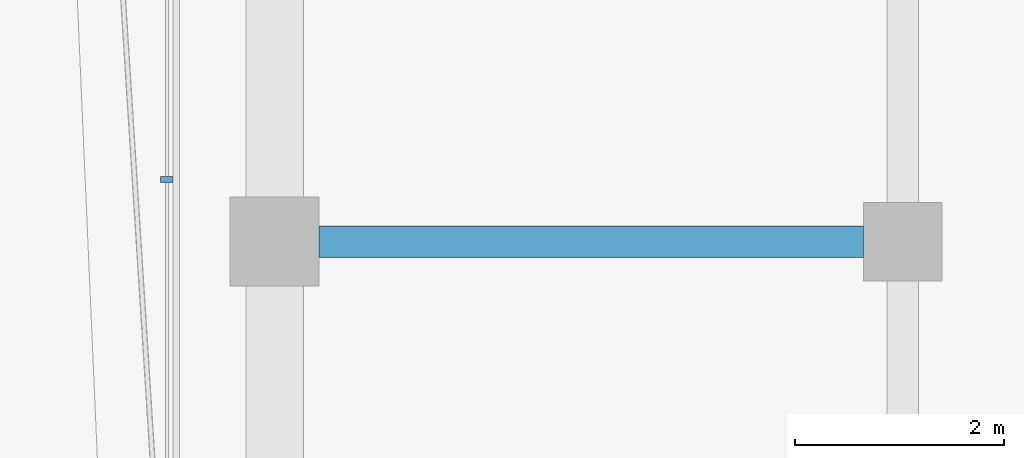
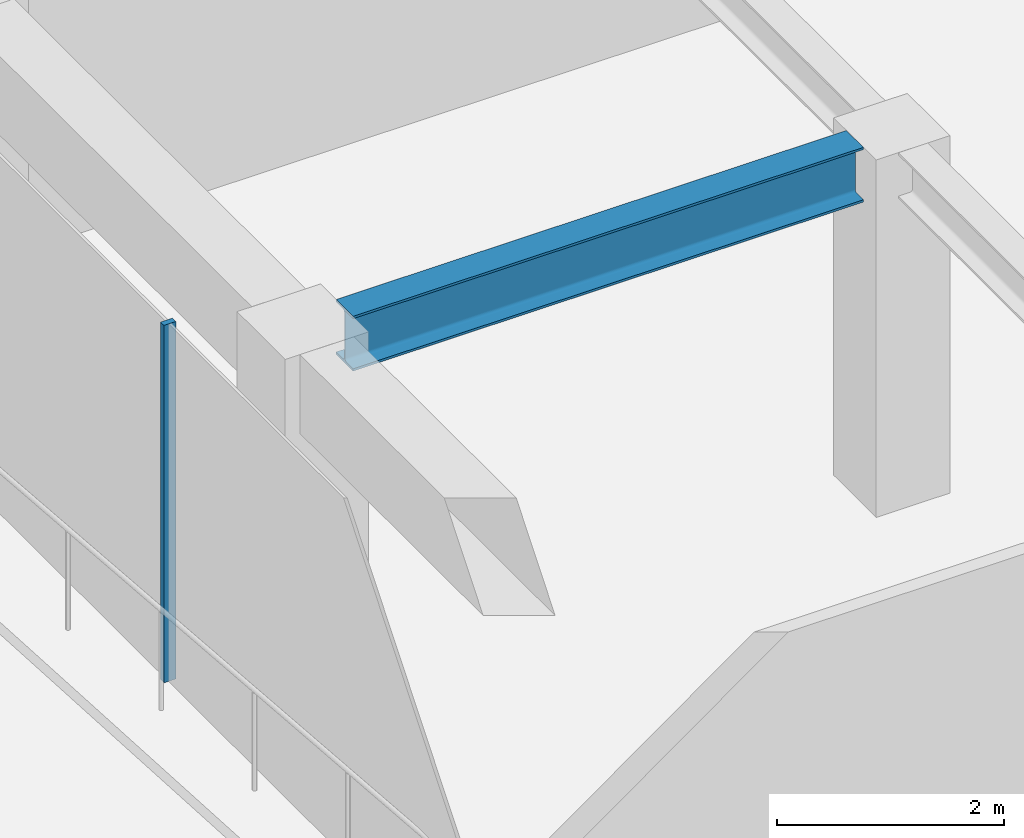
# One storey, part 11 of 21: 1 beam, 1 member, 1 element without a shape of its own.
"""IFC4 building model written with IfcOpenShell, lengths in metres."""

from ifc_helpers import new_model, si_unit, direction, frame, origin, origin_2d, place, context, subcontext, project, spatial, rectangle, i_section, extrude, material, layer, layer_set, material_profile, profile_set, type_object, element, aggregate, save


model = new_model("IFC4")

# Units and contexts
model_context = context("Model", 3, precision=1e-05, world=origin(), true_north=direction((0.0, 1.0)))
body_context = subcontext(model_context, "Body", "Model", "MODEL_VIEW")
ifc_project = project(units=[si_unit("LENGTHUNIT", "METRE"), si_unit("AREAUNIT", "SQUARE_METRE"), si_unit("VOLUMEUNIT", "CUBIC_METRE"), si_unit("PLANEANGLEUNIT", "RADIAN"), si_unit("MASSUNIT", "GRAM", prefix="KILO")], contexts=[model_context])

# Site, building, storey
site_placement = place(None, origin())
site = spatial("IfcSite", under=ifc_project, at=site_placement, CompositionType="ELEMENT")
building_placement = place(site_placement, origin())
building = spatial("IfcBuilding", under=site, at=building_placement, Name="Welwitschia Terrace Campus", CompositionType="ELEMENT")
storey_placement = place(building_placement, frame((0.0, 0.0, 180.199951171875)))
storey = spatial("IfcBuildingStorey", under=building, at=storey_placement, Name="L40", CompositionType="ELEMENT", Elevation=180.199951171875)

# Curtain wall, member
ifc_material_1 = material(Name="Bronze anodised aluminium", Category="aluminium")
ifc_layer = layer(ifc_material_1, 0.1201171875)
ifc_layer_set = layer_set([ifc_layer], Name="Bronze anodised aluminium")
curtain_wall_type = type_object("IfcCurtainWallType", Name="Curtain wall CW2 tower 6000", PredefinedType="NOTDEFINED", material=ifc_layer_set)
curtain_wall_placement = place(storey_placement, origin())
curtain_wall = element("IfcCurtainWall", 1, at=curtain_wall_placement, inside=storey, type_object=curtain_wall_type, Name="CW L40.10.0", PredefinedType="NOTDEFINED")
ifc_material_2 = material(Name="Bronze anodised aluminium", Category="aluminium")
ifc_material_profile_1 = material_profile(ifc_material_2, rectangle(XDim=0.1201171875, YDim=0.06005859375, at=origin_2d()))
ifc_profile_set_1 = profile_set([ifc_material_profile_1], Name="Bronze anodised aluminium")
member_type = type_object("IfcMemberType", Name="Mullion 60x120", PredefinedType="MULLION", material=ifc_profile_set_1)
member_placement = place(storey_placement, frame((-1.030029296875, 44.593017578125, 0.0), z_axis=(0.0, 0.0, 1.0), x_axis=(1.0, 0.0, 0.0)))
member = element("IfcMember", 2, at=member_placement, type_object=member_type, Name="Mullion L40.10.0.3", PredefinedType="MULLION", context=body_context, shape_type="SweptSolid", body=[
    extrude(rectangle(XDim=0.1201171875, YDim=0.06005859375, at=origin_2d()), origin(), (0.0, 0.0, 1.0), 3.85009765625),
])
aggregate(curtain_wall, [member])

# Beam
ifc_material_3 = material(Name="Steel S355", Category="steel")
ifc_material_profile_2 = material_profile(ifc_material_3, i_section(OverallWidth=0.300048828125, OverallDepth=0.590087890625, WebThickness=0.012939453125, FlangeThickness=0.02490234375, FilletRadius=0.027099609375, at=origin_2d()))
ifc_profile_set_2 = profile_set([ifc_material_profile_2], Name="Steel S355")
beam_type = type_object("IfcBeamType", Name="Primary beam HE 600 A", PredefinedType="BEAM", material=ifc_profile_set_2)
beam_placement = place(storey_placement, frame((0.425537109375, 44.0, 3.554931640625), z_axis=(1.0, 0.0, 0.0), x_axis=(0.0, 1.0, 0.0)))
element("IfcBeam", 3, at=beam_placement, inside=storey, type_object=beam_type, Name="Primary beam PB4", PredefinedType="BEAM", context=body_context, shape_type="SweptSolid", body=[
    extrude(i_section(OverallWidth=0.300048828125, OverallDepth=0.590087890625, WebThickness=0.012939453125, FlangeThickness=0.02490234375, FilletRadius=0.027099609375, at=origin_2d()), origin(), (0.0, 0.0, 1.0), 5.198974609375),
])

save(model, "model.ifc")
